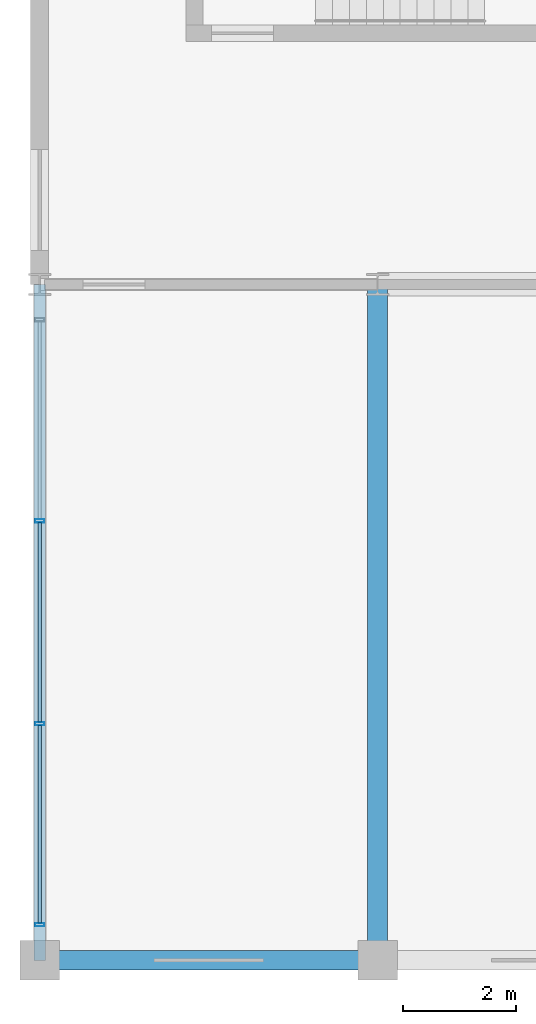
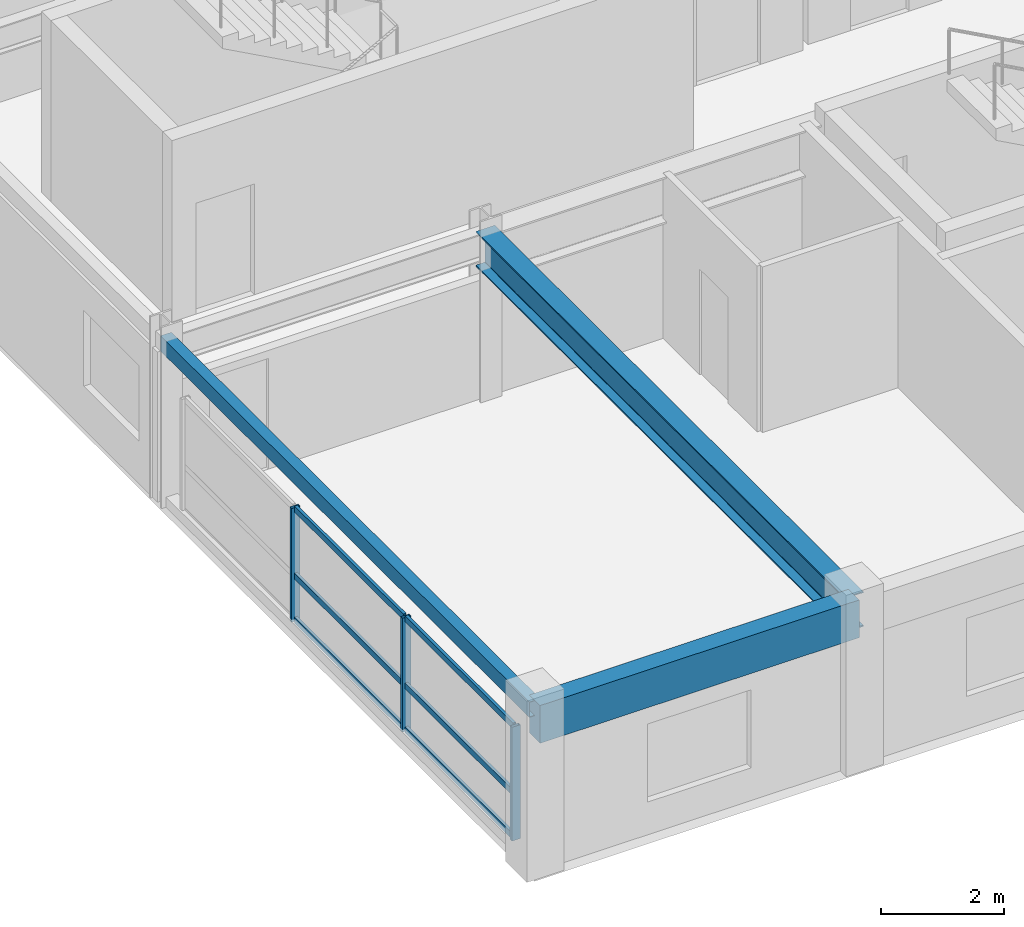
# One storey, part 2 of 22: 9 members, 3 beams, 1 element without a shape of its own.
"""IFC4 building model written with IfcOpenShell, lengths in metres."""

from ifc_helpers import new_model, si_unit, direction, frame, origin, origin_2d, place, context, subcontext, project, spatial, rectangle, hollow_rectangle, i_section, extrude, material, material_profile, profile_set, type_object, element, aggregate, save


model = new_model("IFC4")

# Units and contexts
model_context = context("Model", 3, precision=1e-05, world=origin(), true_north=direction((0.0, 1.0)))
body_context = subcontext(model_context, "Body", "Model", "MODEL_VIEW")
ifc_project = project(units=[si_unit("LENGTHUNIT", "METRE"), si_unit("AREAUNIT", "SQUARE_METRE"), si_unit("VOLUMEUNIT", "CUBIC_METRE"), si_unit("PLANEANGLEUNIT", "RADIAN"), si_unit("MASSUNIT", "GRAM", prefix="KILO")], contexts=[model_context])

# Site, building, storey
site_placement = place(None, origin())
site = spatial("IfcSite", under=ifc_project, at=site_placement, CompositionType="ELEMENT")
building_placement = place(site_placement, origin())
building = spatial("IfcBuilding", under=site, at=building_placement, Name="Kaldorvane Square Convention Centre", CompositionType="ELEMENT")
storey_placement = place(building_placement, frame((0.0, 0.0, 63.600006103515625)))
storey = spatial("IfcBuildingStorey", under=building, at=storey_placement, Name="L15", CompositionType="ELEMENT", Elevation=63.600006103515625)

# Beams
ifc_material_1 = material(Name="Steel ASTM A992 Gr. 50", Category="steel")
ifc_material_profile_1 = material_profile(ifc_material_1, i_section(OverallWidth=0.354705810546875, OverallDepth=0.69549560546875, WebThickness=0.0153961181640625, FlangeThickness=0.0251007080078125, FilletRadius=0.01519775390625, at=origin_2d()), Name="W27X146")
ifc_profile_set_1 = profile_set([ifc_material_profile_1], Name="Steel ASTM A992 Gr. 50")
beam_type_1 = type_object("IfcBeamType", Name="BM-GR-W27X146", PredefinedType="BEAM", material=ifc_profile_set_1)
beam_1_placement = place(storey_placement, frame((42.0, 84.0, 2.9381866455078125), z_axis=(0.0, 1.0, 0.0), x_axis=(-1.0, 0.0, 0.0)))
element("IfcBeam", 1, at=beam_1_placement, inside=storey, type_object=beam_type_1, Name="Transverse Girder (L15)", PredefinedType="BEAM", context=body_context, shape_type="SweptSolid", body=[
    extrude(i_section(OverallWidth=0.354705810546875, OverallDepth=0.69549560546875, WebThickness=0.0153961181640625, FlangeThickness=0.0251007080078125, FilletRadius=0.01519775390625, at=origin_2d()), origin(), (0.0, 0.0, 1.0), 12.0),
])
ifc_material_2 = material(Name="Steel ASTM A500 Gr. C", Category="steel")
ifc_material_profile_2 = material_profile(ifc_material_2, hollow_rectangle(XDim=0.2032012939453125, YDim=0.3047943115234375, WallThickness=0.0088958740234375, at=origin_2d()), Name="HSS12X8X3/8")
ifc_profile_set_2 = profile_set([ifc_material_profile_2], Name="Steel ASTM A500 Gr. C")
beam_type_2 = type_object("IfcBeamType", Name="BM-SP-HSS12", PredefinedType="SPANDREL", material=ifc_profile_set_2)
beam_2_placement = place(storey_placement, frame((36.0, 84.0, 3.1335906982421875), z_axis=(0.0, 1.0, 0.0), x_axis=(-1.0, 0.0, 0.0)))
element("IfcBeam", 2, at=beam_2_placement, inside=storey, type_object=beam_type_2, Name="End Spandrel (L15)", PredefinedType="SPANDREL", context=body_context, shape_type="SweptSolid", body=[
    extrude(hollow_rectangle(XDim=0.2032012939453125, YDim=0.3047943115234375, WallThickness=0.0088958740234375, at=origin_2d()), origin(), (0.0, 0.0, 1.0), 12.0),
])
ifc_material_3 = material(Name="Concrete f'c = 42 MPa (Normalweight)", Category="concrete")
ifc_material_profile_3 = material_profile(ifc_material_3, rectangle(XDim=0.350006103515625, YDim=0.75, at=origin_2d()), Name="RCSP750X350")
ifc_profile_set_3 = profile_set([ifc_material_profile_3], Name="Concrete f'c = 42 MPa (Normalweight)")
beam_type_3 = type_object("IfcBeamType", Name="BM-SP-RC750", PredefinedType="SPANDREL", material=ifc_profile_set_3)
beam_3_placement = place(storey_placement, frame((36.0, 84.0, 2.9109954833984375), z_axis=(1.0, 0.0, 0.0), x_axis=(0.0, 1.0, 0.0)))
element("IfcBeam", 3, at=beam_3_placement, inside=storey, type_object=beam_type_3, Name="Perimeter Spandrel (L15)", PredefinedType="SPANDREL", context=body_context, shape_type="SweptSolid", body=[
    extrude(rectangle(XDim=0.350006103515625, YDim=0.75, at=origin_2d()), origin(), (0.0, 0.0, 1.0), 6.0),
])

# Curtain wall, members
ifc_material_4 = material(Name="Anodized Aluminum and Low-E Insulated Glazing", Category="aluminium")
curtain_wall_type = type_object("IfcCurtainWallType", Name="CW-UNI-HTL-B", PredefinedType="USERDEFINED", material=ifc_material_4)
curtain_wall_placement = place(storey_placement, origin())
curtain_wall = element("IfcCurtainWall", 4, at=curtain_wall_placement, inside=storey, type_object=curtain_wall_type, Name="Curtain Wall CW-11 (L15)", ObjectType="UNITISED GLAZING", PredefinedType="USERDEFINED")
ifc_material_profile_4 = material_profile(ifc_material_4, hollow_rectangle(XDim=0.05999755859375, YDim=0.160003662109375, WallThickness=0.003204345703125, at=origin_2d()), Name="CWM-160X60")
ifc_profile_set_4 = profile_set([ifc_material_profile_4], Name="Anodized Aluminum and Low-E Insulated Glazing")
member_type_1 = type_object("IfcMemberType", Name="CW-MUL-160", PredefinedType="MULLION", material=ifc_profile_set_4)
member_1_placement = place(storey_placement, frame((36.0, 91.80000305175781, 0.149993896484375), z_axis=(0.0, 0.0, 1.0), x_axis=(0.0, -1.0, 0.0)))
member_1 = element("IfcMember", 5, at=member_1_placement, type_object=member_type_1, Name="CW-11 mullion 2", PredefinedType="MULLION", context=body_context, shape_type="SweptSolid", body=[
    extrude(hollow_rectangle(XDim=0.05999755859375, YDim=0.160003662109375, WallThickness=0.003204345703125, at=origin_2d()), origin(), (0.0, 0.0, 1.0), 2.2599945068359375),
])
member_2_placement = place(storey_placement, frame((36.0, 88.19999694824219, 0.149993896484375), z_axis=(0.0, 0.0, 1.0), x_axis=(0.0, -1.0, 0.0)))
member_2 = element("IfcMember", 6, at=member_2_placement, type_object=member_type_1, Name="CW-11 mullion 3", PredefinedType="MULLION", context=body_context, shape_type="SweptSolid", body=[
    extrude(hollow_rectangle(XDim=0.05999755859375, YDim=0.160003662109375, WallThickness=0.003204345703125, at=origin_2d()), origin(), (0.0, 0.0, 1.0), 2.2599945068359375),
])
member_3_placement = place(storey_placement, frame((36.0, 84.6300048828125, 0.149993896484375), z_axis=(0.0, 0.0, 1.0), x_axis=(0.0, -1.0, 0.0)))
member_3 = element("IfcMember", 7, at=member_3_placement, type_object=member_type_1, Name="CW-11 mullion 4", PredefinedType="MULLION", context=body_context, shape_type="SweptSolid", body=[
    extrude(hollow_rectangle(XDim=0.05999755859375, YDim=0.160003662109375, WallThickness=0.003204345703125, at=origin_2d()), origin(), (0.0, 0.0, 1.0), 2.2599945068359375),
])
ifc_material_profile_5 = material_profile(ifc_material_4, hollow_rectangle(XDim=0.05499267578125, YDim=0.1199951171875, WallThickness=0.0030059814453125, at=origin_2d()), Name="CWT-120X55")
ifc_profile_set_5 = profile_set([ifc_material_profile_5], Name="Anodized Aluminum and Low-E Insulated Glazing")
member_type_2 = type_object("IfcMemberType", Name="CW-TRN-120", PredefinedType="USERDEFINED", material=ifc_profile_set_5)
member_4_placement = place(storey_placement, frame((36.0, 91.77000427246094, 0.177490234375), z_axis=(0.0, -1.0, 0.0), x_axis=(1.0, 0.0, 0.0)))
member_4 = element("IfcMember", 8, at=member_4_placement, type_object=member_type_2, Name="CW-11 transom 2.1", ObjectType="TRANSOM", PredefinedType="USERDEFINED", context=body_context, shape_type="SweptSolid", body=[
    extrude(hollow_rectangle(XDim=0.05499267578125, YDim=0.1199951171875, WallThickness=0.0030059814453125, at=origin_2d()), origin(), (0.0, 0.0, 1.0), 3.540008544921875),
])
member_5_placement = place(storey_placement, frame((36.0, 91.77000427246094, 1.04998779296875), z_axis=(0.0, -1.0, 0.0), x_axis=(1.0, 0.0, 0.0)))
member_5 = element("IfcMember", 9, at=member_5_placement, type_object=member_type_2, Name="CW-11 transom 2.2", ObjectType="TRANSOM", PredefinedType="USERDEFINED", context=body_context, shape_type="SweptSolid", body=[
    extrude(hollow_rectangle(XDim=0.05499267578125, YDim=0.1199951171875, WallThickness=0.0030059814453125, at=origin_2d()), origin(), (0.0, 0.0, 1.0), 3.540008544921875),
])
member_6_placement = place(storey_placement, frame((36.0, 91.77000427246094, 2.3824920654296875), z_axis=(0.0, -1.0, 0.0), x_axis=(1.0, 0.0, 0.0)))
member_6 = element("IfcMember", 10, at=member_6_placement, type_object=member_type_2, Name="CW-11 transom 2.3", ObjectType="TRANSOM", PredefinedType="USERDEFINED", context=body_context, shape_type="SweptSolid", body=[
    extrude(hollow_rectangle(XDim=0.05499267578125, YDim=0.1199951171875, WallThickness=0.0030059814453125, at=origin_2d()), origin(), (0.0, 0.0, 1.0), 3.540008544921875),
])
member_7_placement = place(storey_placement, frame((36.0, 88.16999816894531, 0.177490234375), z_axis=(0.0, -1.0, 0.0), x_axis=(1.0, 0.0, 0.0)))
member_7 = element("IfcMember", 11, at=member_7_placement, type_object=member_type_2, Name="CW-11 transom 3.1", ObjectType="TRANSOM", PredefinedType="USERDEFINED", context=body_context, shape_type="SweptSolid", body=[
    extrude(hollow_rectangle(XDim=0.05499267578125, YDim=0.1199951171875, WallThickness=0.0030059814453125, at=origin_2d()), origin(), (0.0, 0.0, 1.0), 3.5099945068359375),
])
member_8_placement = place(storey_placement, frame((36.0, 88.16999816894531, 1.04998779296875), z_axis=(0.0, -1.0, 0.0), x_axis=(1.0, 0.0, 0.0)))
member_8 = element("IfcMember", 12, at=member_8_placement, type_object=member_type_2, Name="CW-11 transom 3.2", ObjectType="TRANSOM", PredefinedType="USERDEFINED", context=body_context, shape_type="SweptSolid", body=[
    extrude(hollow_rectangle(XDim=0.05499267578125, YDim=0.1199951171875, WallThickness=0.0030059814453125, at=origin_2d()), origin(), (0.0, 0.0, 1.0), 3.5099945068359375),
])
member_9_placement = place(storey_placement, frame((36.0, 88.16999816894531, 2.3824920654296875), z_axis=(0.0, -1.0, 0.0), x_axis=(1.0, 0.0, 0.0)))
member_9 = element("IfcMember", 13, at=member_9_placement, type_object=member_type_2, Name="CW-11 transom 3.3", ObjectType="TRANSOM", PredefinedType="USERDEFINED", context=body_context, shape_type="SweptSolid", body=[
    extrude(hollow_rectangle(XDim=0.05499267578125, YDim=0.1199951171875, WallThickness=0.0030059814453125, at=origin_2d()), origin(), (0.0, 0.0, 1.0), 3.5099945068359375),
])
aggregate(curtain_wall, [member_1, member_2, member_3, member_4, member_5, member_6, member_7, member_8, member_9])

save(model, "model.ifc")
